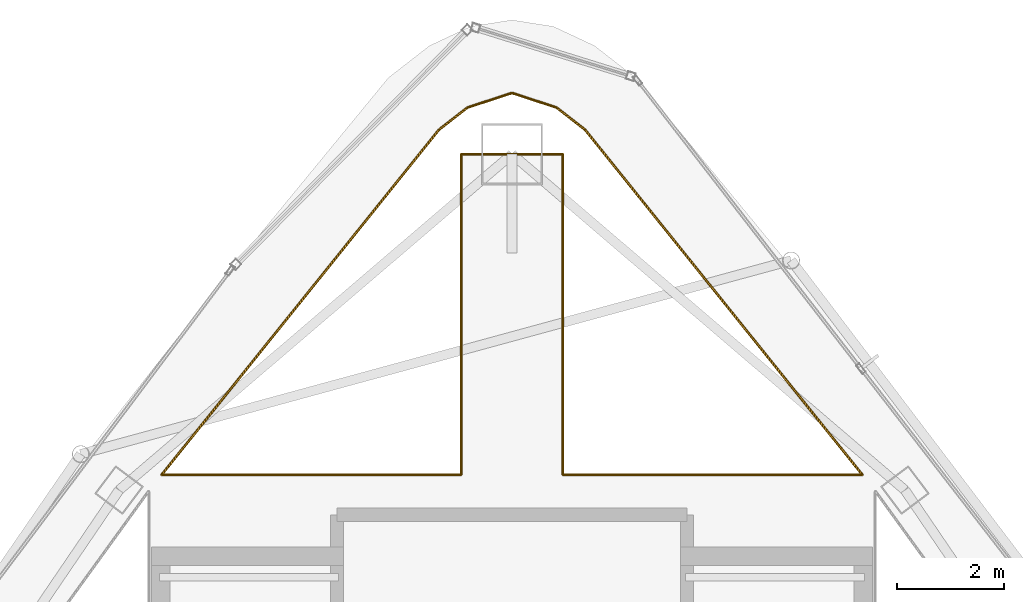
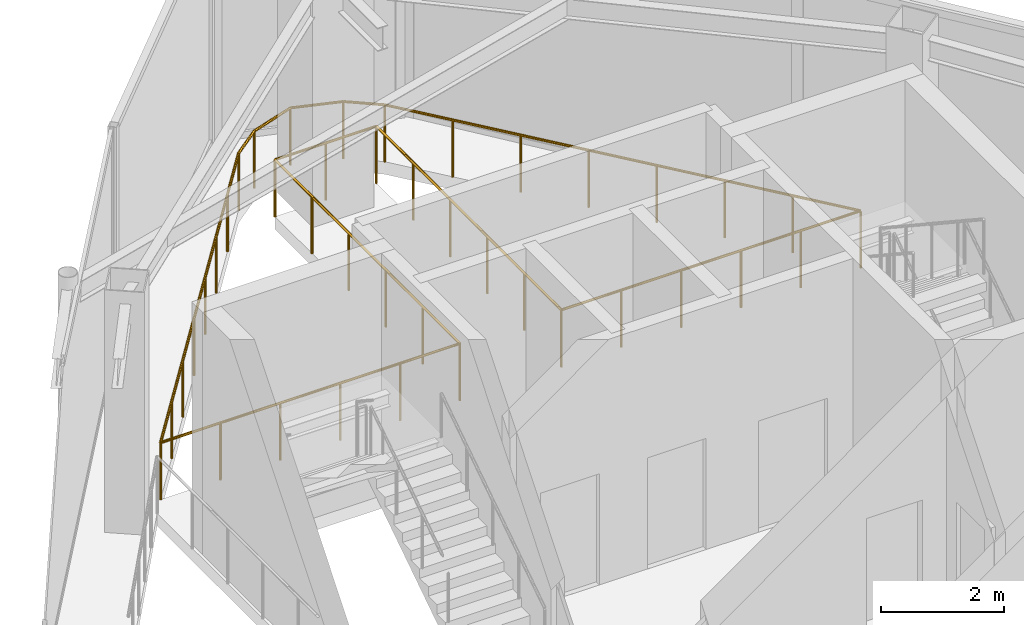
# One storey, part 19 of 19: 1 railing.
"""IFC4 building model written with IfcOpenShell, lengths in metres."""

from ifc_helpers import new_model, si_unit, direction, frame, origin, origin_2d, place, context, subcontext, project, spatial, circle, extrude, material, type_object, element, save


model = new_model("IFC4")

# Units and contexts
model_context = context("Model", 3, precision=1e-05, world=origin(), true_north=direction((0.0, 1.0)))
body_context = subcontext(model_context, "Body", "Model", "MODEL_VIEW")
ifc_project = project(units=[si_unit("LENGTHUNIT", "METRE"), si_unit("AREAUNIT", "SQUARE_METRE"), si_unit("VOLUMEUNIT", "CUBIC_METRE"), si_unit("PLANEANGLEUNIT", "RADIAN"), si_unit("MASSUNIT", "GRAM", prefix="KILO")], contexts=[model_context])

# Site, building, storey
site_placement = place(None, origin())
site = spatial("IfcSite", under=ifc_project, at=site_placement, CompositionType="ELEMENT")
building_placement = place(site_placement, origin())
building = spatial("IfcBuilding", under=site, at=building_placement, Name="Orvanel Arch Residences", CompositionType="ELEMENT")
storey_placement = place(building_placement, frame((0.0, 0.0, 295.699951171875)))
storey = spatial("IfcBuildingStorey", under=building, at=storey_placement, Name="L83", CompositionType="ELEMENT", Elevation=295.699951171875)

# Railing
ifc_material = material(Name="Bronze-anodised aluminium AA6063-T6", Category="aluminium")
railing_type = type_object("IfcRailingType", Name="RL-ATR-1150", PredefinedType="BALUSTRADE", material=ifc_material)
railing_placement = place(storey_placement, frame((39.554931640625, 35.39990234375, 0.0)))
element("IfcRailing", 1, at=railing_placement, inside=storey, type_object=railing_type, Name="L83 Crown Conservatory Void 1 Balustrade", PredefinedType="BALUSTRADE", context=body_context, shape_type="SweptSolid", body=[
    extrude(circle(Radius=0.02392578125, at=origin_2d()), frame((-0.00146484375, 0.0, 1.1259765625), z_axis=(-1.0, 0.0, 0.0), x_axis=(0.0, -1.0, 0.0)), (0.0, 0.0, 1.0), 5.60205078125),
    extrude(circle(Radius=0.02392578125, at=origin_2d()), frame((-5.60498046875, 0.00146484375, 1.1259765625), z_axis=(0.0, 1.0, 0.0), x_axis=(-1.0, 0.0, 0.0)), (0.0, 0.0, 1.0), 5.9951171875),
    extrude(circle(Radius=0.02392578125, at=origin_2d()), frame((-5.6064453125, 5.998046875, 1.1259765625), z_axis=(-1.0, 0.0, 0.0), x_axis=(0.0, -1.0, 0.0)), (0.0, 0.0, 1.0), 1.89697265625),
    extrude(circle(Radius=0.02392578125, at=origin_2d()), frame((-7.5048828125, 5.99658203125, 1.1259765625), z_axis=(0.0, -1.0, 0.0), x_axis=(1.0, 0.0, 0.0)), (0.0, 0.0, 1.0), 5.9951171875),
    extrude(circle(Radius=0.02392578125, at=origin_2d()), frame((-7.50634765625, 0.0, 1.1259765625), z_axis=(-1.0, 0.0, 0.0), x_axis=(0.0, -1.0, 0.0)), (0.0, 0.0, 1.0), 5.60205078125),
    extrude(circle(Radius=0.02392578125, at=origin_2d()), frame((-13.10888671875, 0.001220703125, 1.1259765625), z_axis=(0.626455081924, 0.779457523109, 0.0), x_axis=(-0.779457523109, 0.626455081924, 0.0)), (0.0, 0.0, 1.0), 8.278564453125),
    extrude(circle(Radius=0.02392578125, at=origin_2d()), frame((-7.920654296875, 6.4560546875, 1.1259765625), z_axis=(0.788982312602, 0.614415909951, 0.0), x_axis=(-0.614415909951, 0.788982312602, 0.0)), (0.0, 0.0, 1.0), 0.672607421875),
    extrude(circle(Radius=0.02392578125, at=origin_2d()), frame((-7.387451171875, 6.87060546875, 1.1259765625), z_axis=(0.950394138298, 0.311048198658, 0.0), x_axis=(-0.311048198658, 0.950394138298, 0.0)), (0.0, 0.0, 1.0), 0.87451171875),
    extrude(circle(Radius=0.02392578125, at=origin_2d()), frame((-6.553466796875, 7.142578125, 1.1259765625), z_axis=(0.950394138298, -0.311048198658, 0.0), x_axis=(0.311048198658, 0.950394138298, 0.0)), (0.0, 0.0, 1.0), 0.87451171875),
    extrude(circle(Radius=0.02392578125, at=origin_2d()), frame((-5.7197265625, 6.869140625, 1.1259765625), z_axis=(0.788982312602, -0.614415909951, 0.0), x_axis=(0.614415909951, 0.788982312602, 0.0)), (0.0, 0.0, 1.0), 0.672607421875),
    extrude(circle(Radius=0.02392578125, at=origin_2d()), frame((-5.18701171875, 6.453857421875, 1.1259765625), z_axis=(0.626455081924, -0.779457523109, 0.0), x_axis=(0.779457523109, 0.626455081924, 0.0)), (0.0, 0.0, 1.0), 8.278564453125),
    extrude(circle(Radius=0.02099609375, at=origin_2d()), origin(), (0.0, 0.0, 1.0), 1.099853515625),
    extrude(circle(Radius=0.02099609375, at=origin_2d()), frame((-1.12109375, 0.0, 0.0)), (0.0, 0.0, 1.0), 1.099853515625),
    extrude(circle(Radius=0.02099609375, at=origin_2d()), frame((-2.241943359375, 0.0, 0.0)), (0.0, 0.0, 1.0), 1.099853515625),
    extrude(circle(Radius=0.02099609375, at=origin_2d()), frame((-3.363037109375, 0.0, 0.0)), (0.0, 0.0, 1.0), 1.099853515625),
    extrude(circle(Radius=0.02099609375, at=origin_2d()), frame((-4.48388671875, 0.0, 0.0)), (0.0, 0.0, 1.0), 1.099853515625),
    extrude(circle(Radius=0.02099609375, at=origin_2d()), frame((-5.60498046875, 0.0, 0.0)), (0.0, 0.0, 1.0), 1.099853515625),
    extrude(circle(Radius=0.02099609375, at=origin_2d()), frame((-5.60498046875, 1.19970703125, 0.0)), (0.0, 0.0, 1.0), 1.099853515625),
    extrude(circle(Radius=0.02099609375, at=origin_2d()), frame((-5.60498046875, 2.399169921875, 0.0)), (0.0, 0.0, 1.0), 1.099853515625),
    extrude(circle(Radius=0.02099609375, at=origin_2d()), frame((-5.60498046875, 3.598876953125, 0.0)), (0.0, 0.0, 1.0), 1.099853515625),
    extrude(circle(Radius=0.02099609375, at=origin_2d()), frame((-5.60498046875, 4.79833984375, 0.0)), (0.0, 0.0, 1.0), 1.099853515625),
    extrude(circle(Radius=0.02099609375, at=origin_2d()), frame((-5.60498046875, 5.998046875, 0.0)), (0.0, 0.0, 1.0), 1.099853515625),
    extrude(circle(Radius=0.02099609375, at=origin_2d()), frame((-6.554931640625, 5.998046875, 0.0)), (0.0, 0.0, 1.0), 1.099853515625),
    extrude(circle(Radius=0.02099609375, at=origin_2d()), frame((-7.5048828125, 5.998046875, 0.0)), (0.0, 0.0, 1.0), 1.099853515625),
    extrude(circle(Radius=0.02099609375, at=origin_2d()), frame((-7.5048828125, 4.79833984375, 0.0)), (0.0, 0.0, 1.0), 1.099853515625),
    extrude(circle(Radius=0.02099609375, at=origin_2d()), frame((-7.5048828125, 3.598876953125, 0.0)), (0.0, 0.0, 1.0), 1.099853515625),
    extrude(circle(Radius=0.02099609375, at=origin_2d()), frame((-7.5048828125, 2.399169921875, 0.0)), (0.0, 0.0, 1.0), 1.099853515625),
    extrude(circle(Radius=0.02099609375, at=origin_2d()), frame((-7.5048828125, 1.19970703125, 0.0)), (0.0, 0.0, 1.0), 1.099853515625),
    extrude(circle(Radius=0.02099609375, at=origin_2d()), frame((-7.5048828125, 0.0, 0.0)), (0.0, 0.0, 1.0), 1.099853515625),
    extrude(circle(Radius=0.02099609375, at=origin_2d()), frame((-8.6259765625, 0.0, 0.0)), (0.0, 0.0, 1.0), 1.099853515625),
    extrude(circle(Radius=0.02099609375, at=origin_2d()), frame((-9.746826171875, 0.0, 0.0)), (0.0, 0.0, 1.0), 1.099853515625),
    extrude(circle(Radius=0.02099609375, at=origin_2d()), frame((-10.867919921875, 0.0, 0.0)), (0.0, 0.0, 1.0), 1.099853515625),
    extrude(circle(Radius=0.02099609375, at=origin_2d()), frame((-11.98876953125, 0.0, 0.0)), (0.0, 0.0, 1.0), 1.099853515625),
    extrude(circle(Radius=0.02099609375, at=origin_2d()), frame((-13.10986328125, 0.0, 0.0)), (0.0, 0.0, 1.0), 1.099853515625),
    extrude(circle(Radius=0.02099609375, at=origin_2d()), frame((-12.36865234375, 0.922119140625, 0.0)), (0.0, 0.0, 1.0), 1.099853515625),
    extrude(circle(Radius=0.02099609375, at=origin_2d()), frame((-11.627685546875, 1.84423828125, 0.0)), (0.0, 0.0, 1.0), 1.099853515625),
    extrude(circle(Radius=0.02099609375, at=origin_2d()), frame((-10.886474609375, 2.766357421875, 0.0)), (0.0, 0.0, 1.0), 1.099853515625),
    extrude(circle(Radius=0.02099609375, at=origin_2d()), frame((-10.145263671875, 3.688720703125, 0.0)), (0.0, 0.0, 1.0), 1.099853515625),
    extrude(circle(Radius=0.02099609375, at=origin_2d()), frame((-9.404052734375, 4.61083984375, 0.0)), (0.0, 0.0, 1.0), 1.099853515625),
    extrude(circle(Radius=0.02099609375, at=origin_2d()), frame((-8.6630859375, 5.532958984375, 0.0)), (0.0, 0.0, 1.0), 1.099853515625),
    extrude(circle(Radius=0.02099609375, at=origin_2d()), frame((-7.921875, 6.455078125, 0.0)), (0.0, 0.0, 1.0), 1.099853515625),
    extrude(circle(Radius=0.02099609375, at=origin_2d()), frame((-7.388916015625, 6.8701171875, 0.0)), (0.0, 0.0, 1.0), 1.099853515625),
    extrude(circle(Radius=0.02099609375, at=origin_2d()), frame((-6.554931640625, 7.14306640625, 0.0)), (0.0, 0.0, 1.0), 1.099853515625),
    extrude(circle(Radius=0.02099609375, at=origin_2d()), frame((-5.720947265625, 6.8701171875, 0.0)), (0.0, 0.0, 1.0), 1.099853515625),
    extrude(circle(Radius=0.02099609375, at=origin_2d()), frame((-5.18798828125, 6.455078125, 0.0)), (0.0, 0.0, 1.0), 1.099853515625),
    extrude(circle(Radius=0.02099609375, at=origin_2d()), frame((-4.44677734375, 5.532958984375, 0.0)), (0.0, 0.0, 1.0), 1.099853515625),
    extrude(circle(Radius=0.02099609375, at=origin_2d()), frame((-3.705810546875, 4.61083984375, 0.0)), (0.0, 0.0, 1.0), 1.099853515625),
    extrude(circle(Radius=0.02099609375, at=origin_2d()), frame((-2.964599609375, 3.688720703125, 0.0)), (0.0, 0.0, 1.0), 1.099853515625),
    extrude(circle(Radius=0.02099609375, at=origin_2d()), frame((-2.223388671875, 2.766357421875, 0.0)), (0.0, 0.0, 1.0), 1.099853515625),
    extrude(circle(Radius=0.02099609375, at=origin_2d()), frame((-1.482177734375, 1.84423828125, 0.0)), (0.0, 0.0, 1.0), 1.099853515625),
    extrude(circle(Radius=0.02099609375, at=origin_2d()), frame((-0.7412109375, 0.922119140625, 0.0)), (0.0, 0.0, 1.0), 1.099853515625),
])

save(model, "model.ifc")
